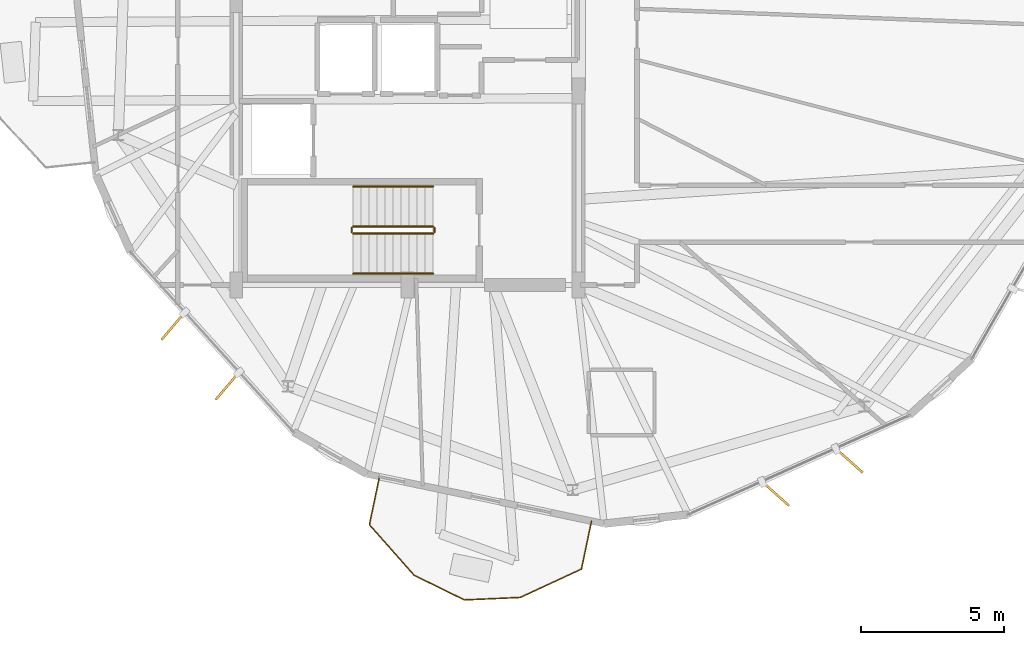
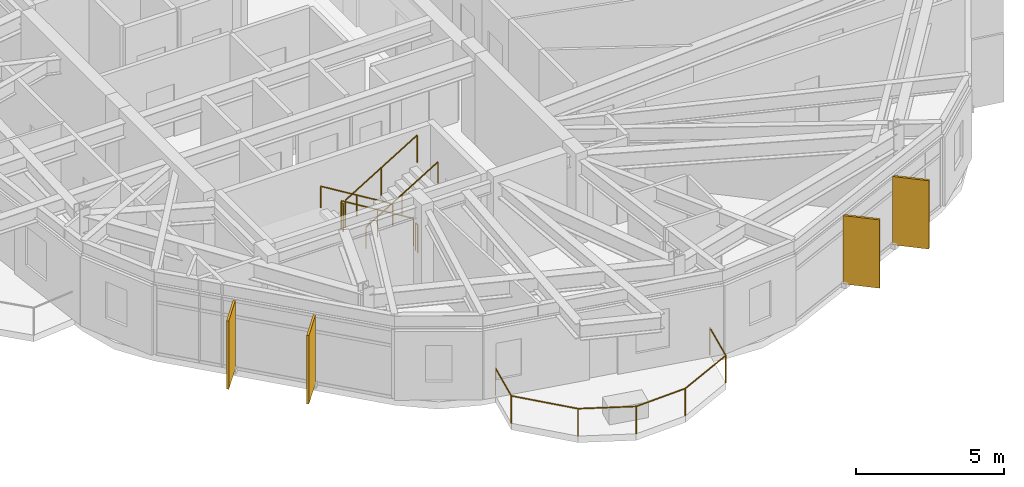
# One storey, part 21 of 23: 7 railings, 4 shading devices.
"""IFC4 building model written with IfcOpenShell, lengths in metres."""

from ifc_helpers import new_model, si_unit, direction, frame, origin, origin_2d, place, context, subcontext, project, spatial, rectangle, circle, extrude, material, layer, layer_set, type_object, element, save


model = new_model("IFC4")

# Units and contexts
model_context = context("Model", 3, precision=1e-05, world=origin(), true_north=direction((0.0, 1.0)))
body_context = subcontext(model_context, "Body", "Model", "MODEL_VIEW")
ifc_project = project(units=[si_unit("LENGTHUNIT", "METRE"), si_unit("AREAUNIT", "SQUARE_METRE"), si_unit("VOLUMEUNIT", "CUBIC_METRE"), si_unit("PLANEANGLEUNIT", "RADIAN"), si_unit("MASSUNIT", "GRAM", prefix="KILO")], contexts=[model_context])

# Site, building, storey
site_placement = place(None, origin())
site = spatial("IfcSite", under=ifc_project, at=site_placement, CompositionType="ELEMENT")
building_placement = place(site_placement, origin())
building = spatial("IfcBuilding", under=site, at=building_placement, Name="Soratama Intermodal Tower", CompositionType="ELEMENT")
storey_placement = place(building_placement, frame((0.0, 0.0, 253.75)))
storey = spatial("IfcBuildingStorey", under=building, at=storey_placement, Name="L64", CompositionType="ELEMENT", Elevation=253.75)

# Railings
ifc_material_1 = material(Name="Laminated glass and stainless steel balustrade", Category="steel")
railing_type_1 = type_object("IfcRailingType", Name="RL-BAL-1150", PredefinedType="BALUSTRADE", material=ifc_material_1)
railing_1_placement = place(storey_placement, frame((45.056884765625, 6.720947265625, 0.0)))
element("IfcRailing", 1, at=railing_1_placement, inside=storey, type_object=railing_type_1, Name="L64 Balcony Balustrade 3", PredefinedType="BALUSTRADE", context=body_context, shape_type="SweptSolid", body=[
    extrude(circle(Radius=0.02392578125, at=origin_2d()), frame((0.0, 0.0, 1.1259765625), z_axis=(-0.204815718833, -0.97880055237, 0.0), x_axis=(0.97880055237, -0.204815718833, 0.0)), (0.0, 0.0, 1.0), 1.719970703125),
    extrude(circle(Radius=0.02392578125, at=origin_2d()), frame((-0.352294921875, -1.68359375, 1.1259765625), z_axis=(-0.907364294675, -0.420345140032, 0.0), x_axis=(0.420345140032, -0.907364294675, 0.0)), (0.0, 0.0, 1.0), 2.369140625),
    extrude(circle(Radius=0.02392578125, at=origin_2d()), frame((-2.501953125, -2.679443359375, 1.1259765625), z_axis=(-0.999050040552, -0.043577706156, 0.0), x_axis=(0.043577706156, -0.999050040552, 0.0)), (0.0, 0.0, 1.0), 1.9609375),
    extrude(circle(Radius=0.02392578125, at=origin_2d()), frame((-4.4609375, -2.764892578125, 1.1259765625), z_axis=(-0.897788481154, 0.440426887357, 0.0), x_axis=(-0.440426887357, -0.897788481154, 0.0)), (0.0, 0.0, 1.0), 1.960693359375),
    extrude(circle(Radius=0.02392578125, at=origin_2d()), frame((-6.22119140625, -1.9013671875, 1.1259765625), z_axis=(-0.662609457114, 0.748965090871, 0.0), x_axis=(-0.748965090871, -0.662609457114, 0.0)), (0.0, 0.0, 1.0), 2.369140625),
    extrude(circle(Radius=0.02392578125, at=origin_2d()), frame((-7.791015625, -0.126953125, 1.1259765625), z_axis=(0.204815718833, 0.97880055237, 0.0), x_axis=(-0.97880055237, 0.204815718833, 0.0)), (0.0, 0.0, 1.0), 1.719970703125),
    extrude(circle(Radius=0.02099609375, at=origin_2d()), origin(), (0.0, 0.0, 1.0), 1.101806640625),
    extrude(circle(Radius=0.02099609375, at=origin_2d()), frame((-0.352294921875, -1.68359375, 0.0)), (0.0, 0.0, 1.0), 1.101806640625),
    extrude(circle(Radius=0.02099609375, at=origin_2d()), frame((-2.501953125, -2.679443359375, 0.0)), (0.0, 0.0, 1.0), 1.101806640625),
    extrude(circle(Radius=0.02099609375, at=origin_2d()), frame((-4.4609375, -2.764892578125, 0.0)), (0.0, 0.0, 1.0), 1.101806640625),
    extrude(circle(Radius=0.02099609375, at=origin_2d()), frame((-6.22119140625, -1.9013671875, 0.0)), (0.0, 0.0, 1.0), 1.101806640625),
    extrude(circle(Radius=0.02099609375, at=origin_2d()), frame((-7.791015625, -0.126953125, 0.0)), (0.0, 0.0, 1.0), 1.101806640625),
    extrude(circle(Radius=0.02099609375, at=origin_2d()), frame((-7.438720703125, 1.556640625, 0.0)), (0.0, 0.0, 1.0), 1.101806640625),
])
ifc_material_2 = material(Name="Painted steel stair guardrail", Category="steel")
railing_type_2 = type_object("IfcRailingType", Name="RL-STAIR-GUARD", PredefinedType="GUARDRAIL", material=ifc_material_2)
railing_2_placement = place(storey_placement, frame((39.5, 17.050048828125, 0.17041015625)))
element("IfcRailing", 2, at=railing_2_placement, inside=storey, type_object=railing_type_2, Name="L64 ST-1 stair guard 1", PredefinedType="GUARDRAIL", context=body_context, shape_type="SweptSolid", body=[
    extrude(circle(Radius=0.02392578125, at=origin_2d()), frame((0.0, 0.0, 1.1259765625), z_axis=(-0.854169791009, 0.0, 0.51999420009), x_axis=(0.0, -1.0, 0.0)), (0.0, 0.0, 1.0), 3.278076171875),
    extrude(circle(Radius=0.02099609375, at=origin_2d()), origin(), (0.0, 0.0, 1.0), 1.101806640625),
    extrude(circle(Radius=0.02099609375, at=origin_2d()), frame((-1.39990234375, 0.0, 0.852294921875)), (0.0, 0.0, 1.0), 1.101806640625),
    extrude(circle(Radius=0.02099609375, at=origin_2d()), frame((-2.800048828125, 0.0, 1.70458984375)), (0.0, 0.0, 1.0), 1.101806640625),
])
railing_3_placement = place(storey_placement, frame((36.64990234375, 17.0, 1.875)))
element("IfcRailing", 3, at=railing_3_placement, inside=storey, type_object=railing_type_2, Name="L64 ST-1 stair guard 2", PredefinedType="GUARDRAIL", context=body_context, shape_type="SweptSolid", body=[
    extrude(circle(Radius=0.02392578125, at=origin_2d()), frame((0.0, 0.0, 1.1259765625), z_axis=(0.0, -1.0, 0.0), x_axis=(1.0, 0.0, 0.0)), (0.0, 0.0, 1.0), 0.14990234375),
    extrude(circle(Radius=0.02099609375, at=origin_2d()), origin(), (0.0, 0.0, 1.0), 1.101806640625),
    extrude(circle(Radius=0.02099609375, at=origin_2d()), frame((0.0, -0.14990234375, 0.0)), (0.0, 0.0, 1.0), 1.101806640625),
])
railing_4_placement = place(storey_placement, frame((36.699951171875, 16.800048828125, 2.04541015625)))
element("IfcRailing", 4, at=railing_4_placement, inside=storey, type_object=railing_type_2, Name="L64 ST-1 stair guard 3", PredefinedType="GUARDRAIL", context=body_context, shape_type="SweptSolid", body=[
    extrude(circle(Radius=0.02392578125, at=origin_2d()), frame((0.0, 0.0, 1.1259765625), z_axis=(0.854169791009, 0.0, 0.51999420009), x_axis=(0.0, 1.0, 0.0)), (0.0, 0.0, 1.0), 3.278076171875),
    extrude(circle(Radius=0.02099609375, at=origin_2d()), origin(), (0.0, 0.0, 1.0), 1.101806640625),
    extrude(circle(Radius=0.02099609375, at=origin_2d()), frame((1.39990234375, 0.0, 0.852294921875)), (0.0, 0.0, 1.0), 1.101806640625),
    extrude(circle(Radius=0.02099609375, at=origin_2d()), frame((2.800048828125, 0.0, 1.70458984375)), (0.0, 0.0, 1.0), 1.101806640625),
])
railing_5_placement = place(storey_placement, frame((39.550048828125, 17.0, 0.0)))
element("IfcRailing", 5, at=railing_5_placement, inside=storey, type_object=railing_type_2, Name="L64 ST-1 stair guard 4", PredefinedType="GUARDRAIL", context=body_context, shape_type="SweptSolid", body=[
    extrude(circle(Radius=0.02392578125, at=origin_2d()), frame((0.0, 0.0, 1.1259765625), z_axis=(0.0, -1.0, 0.0), x_axis=(1.0, 0.0, 0.0)), (0.0, 0.0, 1.0), 0.14990234375),
    extrude(circle(Radius=0.02099609375, at=origin_2d()), origin(), (0.0, 0.0, 1.0), 1.101806640625),
    extrude(circle(Radius=0.02099609375, at=origin_2d()), frame((0.0, -0.14990234375, 0.0)), (0.0, 0.0, 1.0), 1.101806640625),
])
ifc_material_3 = material(Name="Brushed stainless steel handrail", Category="steel")
railing_type_3 = type_object("IfcRailingType", Name="RL-STAIR-HAND", PredefinedType="HANDRAIL", material=ifc_material_3)
railing_6_placement = place(storey_placement, frame((39.5, 18.449951171875, 0.17041015625)))
element("IfcRailing", 6, at=railing_6_placement, inside=storey, type_object=railing_type_3, Name="L64 ST-1 stair handrail 1", PredefinedType="HANDRAIL", context=body_context, shape_type="SweptSolid", body=[
    extrude(circle(Radius=0.02392578125, at=origin_2d()), frame((0.0, 0.0, 0.8759765625), z_axis=(-0.854169791009, 0.0, 0.51999420009), x_axis=(0.0, -1.0, 0.0)), (0.0, 0.0, 1.0), 3.278076171875),
    extrude(circle(Radius=0.02099609375, at=origin_2d()), origin(), (0.0, 0.0, 1.0), 0.851806640625),
    extrude(circle(Radius=0.02099609375, at=origin_2d()), frame((-1.39990234375, 0.0, 0.852294921875)), (0.0, 0.0, 1.0), 0.851806640625),
    extrude(circle(Radius=0.02099609375, at=origin_2d()), frame((-2.800048828125, 0.0, 1.70458984375)), (0.0, 0.0, 1.0), 0.851806640625),
])
railing_7_placement = place(storey_placement, frame((36.699951171875, 15.39990234375, 2.04541015625)))
element("IfcRailing", 7, at=railing_7_placement, inside=storey, type_object=railing_type_3, Name="L64 ST-1 stair handrail 2", PredefinedType="HANDRAIL", context=body_context, shape_type="SweptSolid", body=[
    extrude(circle(Radius=0.02392578125, at=origin_2d()), frame((0.0, 0.0, 0.8759765625), z_axis=(0.854169791009, 0.0, 0.51999420009), x_axis=(0.0, 1.0, 0.0)), (0.0, 0.0, 1.0), 3.278076171875),
    extrude(circle(Radius=0.02099609375, at=origin_2d()), origin(), (0.0, 0.0, 1.0), 0.851806640625),
    extrude(circle(Radius=0.02099609375, at=origin_2d()), frame((1.39990234375, 0.0, 0.852294921875)), (0.0, 0.0, 1.0), 0.851806640625),
    extrude(circle(Radius=0.02099609375, at=origin_2d()), frame((2.800048828125, 0.0, 1.70458984375)), (0.0, 0.0, 1.0), 0.851806640625),
])

# Shading devices
ifc_material_4 = material(Name="Champagne anodised aluminium solar fin", Category="aluminium")
ifc_layer = layer(ifc_material_4, 0.080078125)
ifc_layer_set = layer_set([ifc_layer], Name="Champagne anodised aluminium solar fin")
shading_device_type = type_object("IfcShadingDeviceType", Name="SH-FIN-1250", PredefinedType="USERDEFINED", material=ifc_layer_set)
for number, where, z_axis, x_axis, name in (
    (8, (30.381103515625, 13.552978515625, 0.02001953125), (0.0, 0.0, 1.0), (-0.648119901063, -0.761538307537, 0.0), "L64 Solar Fin F05-1"),
    (9, (32.283447265625, 11.453369140625, 0.02001953125), (0.0, 0.0, 1.0), (-0.648119901063, -0.761538307537, 0.0), "L64 Solar Fin F05-2"),
    (10, (51.511962890625, 7.678466796875, 0.02001953125), (0.0, 0.0, 1.0), (0.745243290547, -0.66679264985, 0.0), "L64 Solar Fin F07-1"),
    (11, (54.0966796875, 8.839111328125, 0.02001953125), (0.0, 0.0, 1.0), (0.745243290547, -0.66679264985, 0.0), "L64 Solar Fin F07-2"),
):
    element("IfcShadingDevice", number, at=place(storey_placement, frame(where, z_axis=z_axis, x_axis=x_axis)), inside=storey, type_object=shading_device_type, Name=name, ObjectType="FIN", PredefinedType="USERDEFINED", context=body_context, shape_type="SweptSolid", body=[
        extrude(rectangle(XDim=1.25, YDim=0.080078125, at=origin_2d()), origin(), (0.0, 0.0, 1.0), 2.80908203125),
    ])

save(model, "model.ifc")
